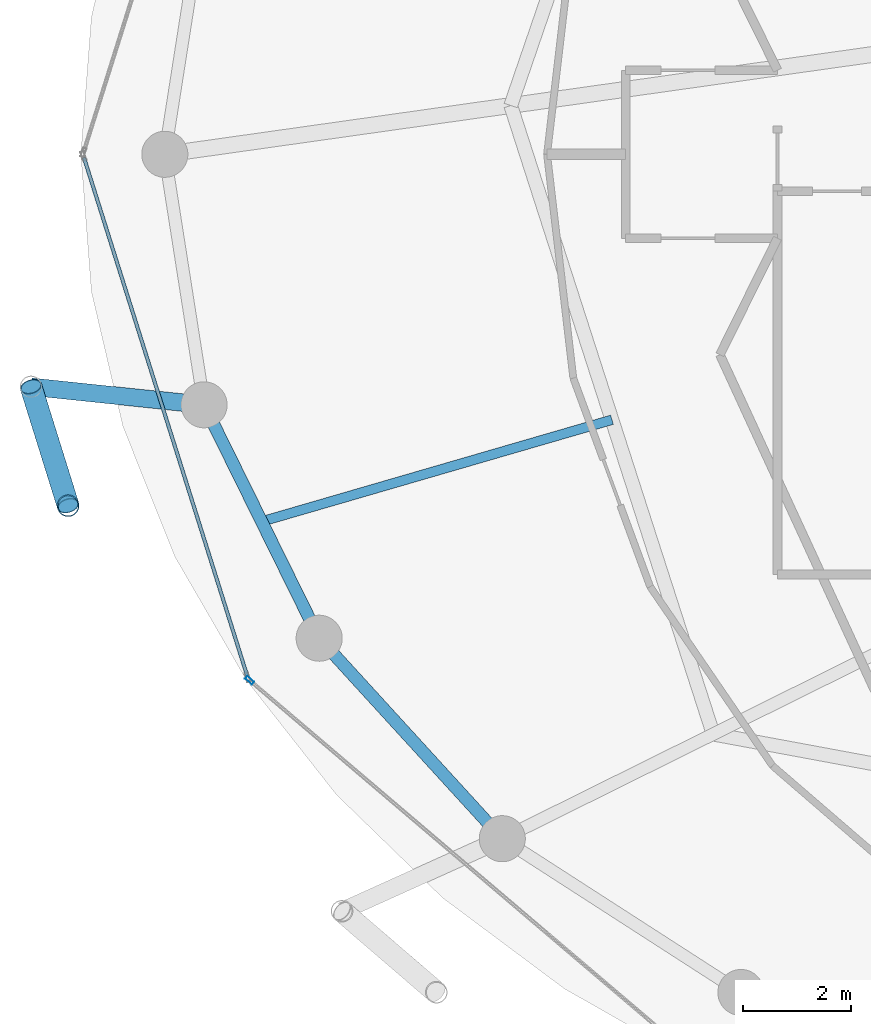
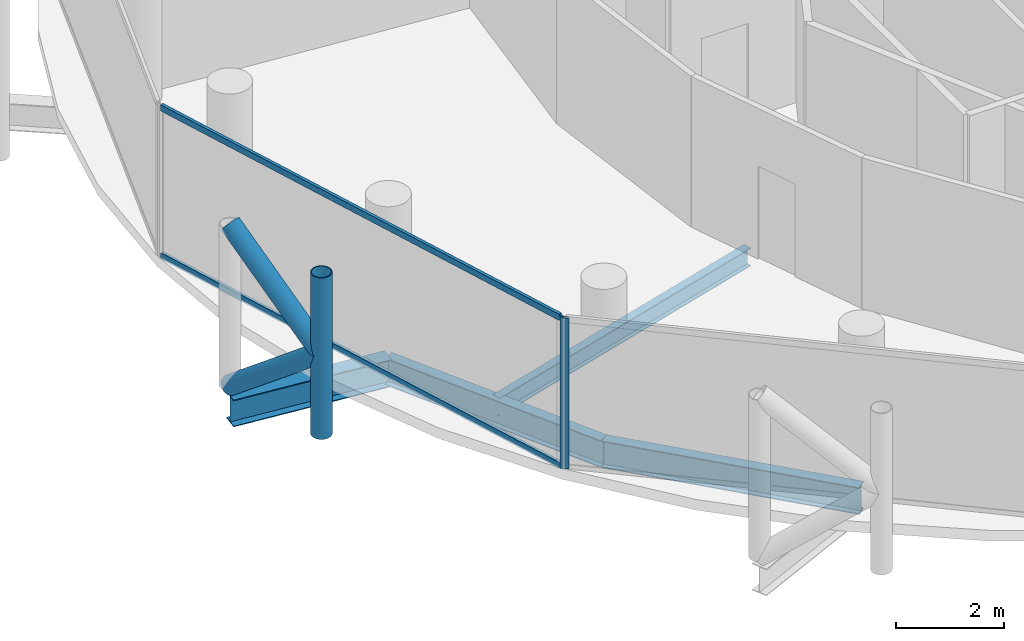
# One storey, part 3 of 27: 6 members, 4 beams, 2 elements without a shape of their own.
"""IFC4 building model written with IfcOpenShell, lengths in metres."""

from ifc_helpers import new_model, si_unit, direction, frame, origin, origin_2d, place, context, subcontext, project, spatial, hollow_rectangle, hollow_circle, i_section, extrude, material, layer, layer_set, material_profile, profile_set, type_object, element, aggregate, save


model = new_model("IFC4")

# Units and contexts
model_context = context("Model", 3, precision=1e-05, world=origin(), true_north=direction((0.0, 1.0)))
body_context = subcontext(model_context, "Body", "Model", "MODEL_VIEW")
ifc_project = project(units=[si_unit("LENGTHUNIT", "METRE"), si_unit("AREAUNIT", "SQUARE_METRE"), si_unit("VOLUMEUNIT", "CUBIC_METRE"), si_unit("PLANEANGLEUNIT", "RADIAN"), si_unit("MASSUNIT", "GRAM", prefix="KILO")], contexts=[model_context])

# Site, building, storey
site_placement = place(None, origin())
site = spatial("IfcSite", under=ifc_project, at=site_placement, CompositionType="ELEMENT")
building_placement = place(site_placement, origin())
building = spatial("IfcBuilding", under=site, at=building_placement, Name="Nuhasar Tower", CompositionType="ELEMENT")
storey_placement = place(building_placement, frame((0.0, 0.0, 244.64990234375)))
storey = spatial("IfcBuildingStorey", under=building, at=storey_placement, Name="L60", CompositionType="ELEMENT", Elevation=244.64990234375)

# Beams
ifc_material_1 = material(Name="Steel S355", Category="steel")
ifc_material_profile_1 = material_profile(ifc_material_1, i_section(OverallWidth=0.177978515625, OverallDepth=0.406005859375, WebThickness=0.0078125, FlangeThickness=0.0126953125, at=origin_2d()), Name="W16X40")
ifc_profile_set_1 = profile_set([ifc_material_profile_1], Name="Steel S355")
beam_type_1 = type_object("IfcBeamType", Name="BM-JST-W16X40", PredefinedType="JOIST", material=ifc_profile_set_1)
beam_1_placement = place(storey_placement, frame((25.9970703125, 21.904052734375, -0.44287109375), z_axis=(-0.960312689798, -0.27892568511, 0.0), x_axis=(0.27892568511, -0.960312689798, 0.0)))
element("IfcBeam", 1, at=beam_1_placement, inside=storey, type_object=beam_type_1, Name="L60 Secondary Floor Joist 08", PredefinedType="JOIST", context=body_context, shape_type="SweptSolid", body=[
    extrude(i_section(OverallWidth=0.177978515625, OverallDepth=0.406005859375, WebThickness=0.0078125, FlangeThickness=0.0126953125, at=origin_2d()), origin(), (0.0, 0.0, 1.0), 6.729248046875),
])
ifc_material_profile_2 = material_profile(ifc_material_1, i_section(OverallWidth=0.22802734375, OverallDepth=0.60791015625, WebThickness=0.01123046875, FlangeThickness=0.017333984375, at=origin_2d()), Name="W24X76")
ifc_profile_set_2 = profile_set([ifc_material_profile_2], Name="Steel S355")
beam_type_2 = type_object("IfcBeamType", Name="BM-RING-W24X76", PredefinedType="SPANDREL", material=ifc_profile_set_2)
beam_2_placement = place(storey_placement, frame((18.47412109375, 22.179931640625, -0.5439453125), z_axis=(0.442262779282, -0.896885518928, 0.0), x_axis=(0.896885518928, 0.442262779282, 0.0)))
element("IfcBeam", 2, at=beam_2_placement, inside=storey, type_object=beam_type_2, Name="L60 Perimeter Ring Spandrel 14", PredefinedType="SPANDREL", context=body_context, shape_type="SweptSolid", body=[
    extrude(i_section(OverallWidth=0.22802734375, OverallDepth=0.60791015625, WebThickness=0.01123046875, FlangeThickness=0.017333984375, at=origin_2d()), origin(), (0.0, 0.0, 1.0), 4.7998046875),
])
beam_3_placement = place(storey_placement, frame((20.596923828125, 17.875, -0.5439453125), z_axis=(0.674449692975, -0.738320805373, 0.0), x_axis=(0.738320805373, 0.674449692975, 0.0)))
element("IfcBeam", 3, at=beam_3_placement, inside=storey, type_object=beam_type_2, Name="L60 Perimeter Ring Spandrel 15", PredefinedType="SPANDREL", context=body_context, shape_type="SweptSolid", body=[
    extrude(i_section(OverallWidth=0.22802734375, OverallDepth=0.60791015625, WebThickness=0.01123046875, FlangeThickness=0.017333984375, at=origin_2d()), origin(), (0.0, 0.0, 1.0), 5.00732421875),
])
ifc_material_profile_3 = material_profile(ifc_material_1, i_section(OverallWidth=0.323974609375, OverallDepth=0.611083984375, WebThickness=0.0126953125, FlangeThickness=0.01904296875, at=origin_2d()), Name="W24X104")
ifc_profile_set_3 = profile_set([ifc_material_profile_3], Name="Steel S355")
beam_type_3 = type_object("IfcBeamType", Name="BM-TIE-W24X104", PredefinedType="BEAM", material=ifc_profile_set_3)
beam_4_placement = place(storey_placement, frame((18.47412109375, 22.179931640625, -0.544921875), z_axis=(-0.994571111079, 0.10405914187, 0.0), x_axis=(-0.10405914187, -0.994571111079, 0.0)))
element("IfcBeam", 4, at=beam_4_placement, inside=storey, type_object=beam_type_3, Name="L60 Exoskeleton Node Tie Beam 07", PredefinedType="BEAM", context=body_context, shape_type="SweptSolid", body=[
    extrude(i_section(OverallWidth=0.323974609375, OverallDepth=0.611083984375, WebThickness=0.0126953125, FlangeThickness=0.01904296875, at=origin_2d()), origin(), (0.0, 0.0, 1.0), 3.20947265625),
])

# Curtain wall, member
ifc_material_2 = material(Name="Aluminium 6063-T6", Category="aluminium")
ifc_layer = layer(ifc_material_2, 0.18994140625)
ifc_layer_set = layer_set([ifc_layer], Name="Aluminium 6063-T6")
curtain_wall_type = type_object("IfcCurtainWallType", Name="CW-Z3-RES", PredefinedType="NOTDEFINED", material=ifc_layer_set)
curtain_wall_1_placement = place(storey_placement, origin())
curtain_wall_1 = element("IfcCurtainWall", 5, at=curtain_wall_1_placement, inside=storey, type_object=curtain_wall_type, Name="L60 Unitised Curtain Wall 08", PredefinedType="NOTDEFINED")
ifc_material_profile_4 = material_profile(ifc_material_2, hollow_rectangle(XDim=0.06494140625, YDim=0.169921875, WallThickness=0.0048828125, at=origin_2d()), Name="CWM-4")
ifc_profile_set_4 = profile_set([ifc_material_profile_4], Name="Aluminium 6063-T6")
member_type_1 = type_object("IfcMemberType", Name="CW-MUL-S4", PredefinedType="MULLION", material=ifc_profile_set_4)
member_1_placement = place(storey_placement, frame((19.313720703125, 17.098876953125, 0.0), z_axis=(0.0, 0.0, 1.0), x_axis=(0.64789521578, 0.761729472562, 0.0)))
member_1 = element("IfcMember", 6, at=member_1_placement, type_object=member_type_1, Name="CW-Z3 mullion 1", PredefinedType="MULLION", context=body_context, shape_type="SweptSolid", body=[
    extrude(hollow_rectangle(XDim=0.06494140625, YDim=0.169921875, WallThickness=0.0048828125, at=origin_2d()), origin(), (0.0, 0.0, 1.0), 3.41015625),
])
aggregate(curtain_wall_1, [member_1])

# Curtain wall, members
curtain_wall_2_placement = place(storey_placement, origin())
curtain_wall_2 = element("IfcCurtainWall", 7, at=curtain_wall_2_placement, inside=storey, type_object=curtain_wall_type, Name="L60 Unitised Curtain Wall 07", PredefinedType="NOTDEFINED")
ifc_material_profile_5 = material_profile(ifc_material_2, hollow_rectangle(XDim=0.06494140625, YDim=0.139892578125, WallThickness=0.00439453125, at=origin_2d()), Name="CWT-4")
ifc_profile_set_5 = profile_set([ifc_material_profile_5], Name="Aluminium 6063-T6")
member_type_2 = type_object("IfcMemberType", Name="CW-TRN-S4", PredefinedType="USERDEFINED", material=ifc_profile_set_5)
member_2_placement = place(storey_placement, frame((16.259521484375, 26.738037109375, 0.03271484375), z_axis=(0.300430390604, -0.953803743126, 0.0), x_axis=(0.953803743126, 0.300430390604, 0.0)))
member_2 = element("IfcMember", 8, at=member_2_placement, type_object=member_type_2, Name="CW-Z3 transom 1.1", ObjectType="TRANSOM", PredefinedType="USERDEFINED", context=body_context, shape_type="SweptSolid", body=[
    extrude(hollow_rectangle(XDim=0.06494140625, YDim=0.139892578125, WallThickness=0.00439453125, at=origin_2d()), origin(), (0.0, 0.0, 1.0), 10.01904296875),
])
member_3_placement = place(storey_placement, frame((16.259521484375, 26.738037109375, 3.377685546875), z_axis=(0.300430390604, -0.953803743126, 0.0), x_axis=(0.953803743126, 0.300430390604, 0.0)))
member_3 = element("IfcMember", 9, at=member_3_placement, type_object=member_type_2, Name="CW-Z3 transom 1.2", ObjectType="TRANSOM", PredefinedType="USERDEFINED", context=body_context, shape_type="SweptSolid", body=[
    extrude(hollow_rectangle(XDim=0.06494140625, YDim=0.139892578125, WallThickness=0.00439453125, at=origin_2d()), origin(), (0.0, 0.0, 1.0), 10.01904296875),
])
aggregate(curtain_wall_2, [member_2, member_3])

# Members
ifc_material_3 = material(Name="Steel S460", Category="steel")
ifc_material_profile_6 = material_profile(ifc_material_3, hollow_circle(Radius=0.203125, WallThickness=0.01904296875, at=origin_2d()), Name="HSS406.4X19.1")
ifc_profile_set_6 = profile_set([ifc_material_profile_6], Name="Steel S460")
member_type_3 = type_object("IfcMemberType", Name="EXO-BRONZE-406", PredefinedType="BRACE", material=ifc_profile_set_6)
member_4_placement = place(storey_placement, frame((15.967041015625, 20.319091796875, 0.0), z_axis=(0.0, 0.0, 1.0), x_axis=(1.0, 0.0, 0.0)))
element("IfcMember", 10, at=member_4_placement, inside=storey, type_object=member_type_3, Name="L60 Exoskeleton Chord Column EC-07B", PredefinedType="BRACE", context=body_context, shape_type="SweptSolid", body=[
    extrude(hollow_circle(Radius=0.203125, WallThickness=0.01904296875, at=origin_2d()), origin(), (0.0, 0.0, 1.0), 3.650146484375),
])
for number, where, z_axis, x_axis, name in (
    (11, (15.281982421875, 22.513916015625, 0.0), (0.233360356896, -0.747651321632, 0.621739853228), (0.954581948223, 0.297948492404, 0.0), "L60 Bronze Diagrid Brace W1-07"),
    (12, (15.967041015625, 20.319091796875, 1.8251953125), (-0.233372423355, 0.747689980743, 0.621688832709), (-0.954581948223, -0.297948492404, 0.0), "L60 Bronze Diagrid Brace W2-07"),
):
    element("IfcMember", number, at=place(storey_placement, frame(where, z_axis=z_axis, x_axis=x_axis)), inside=storey, type_object=member_type_3, Name=name, PredefinedType="BRACE", context=body_context, shape_type="SweptSolid", body=[
        extrude(hollow_circle(Radius=0.203125, WallThickness=0.01904296875, at=origin_2d()), origin(), (0.0, 0.0, 1.0), 2.935546875),
    ])

save(model, "model.ifc")
